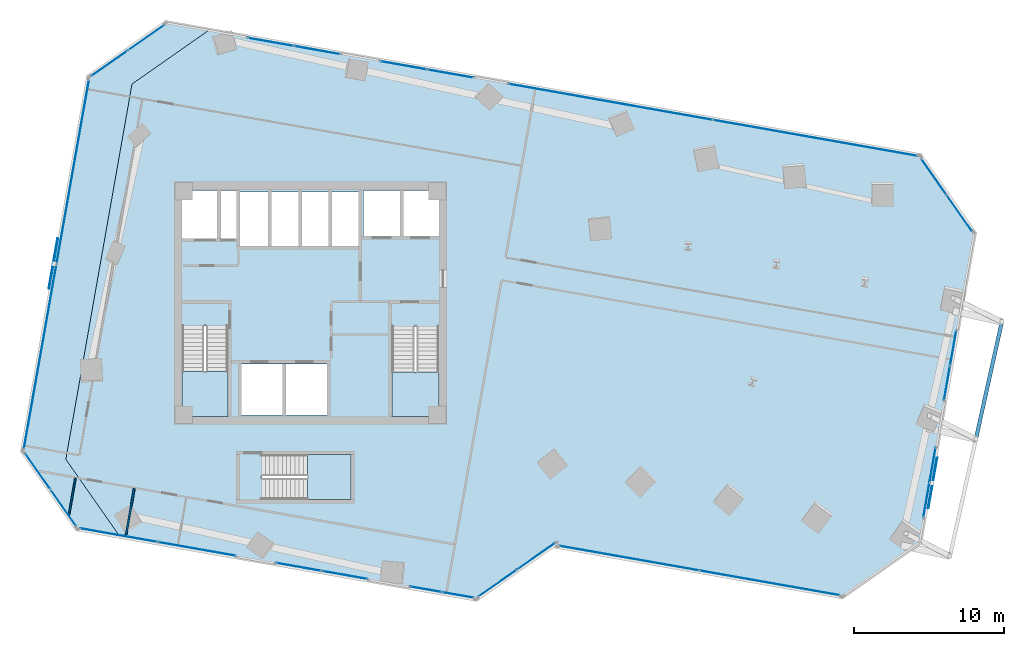
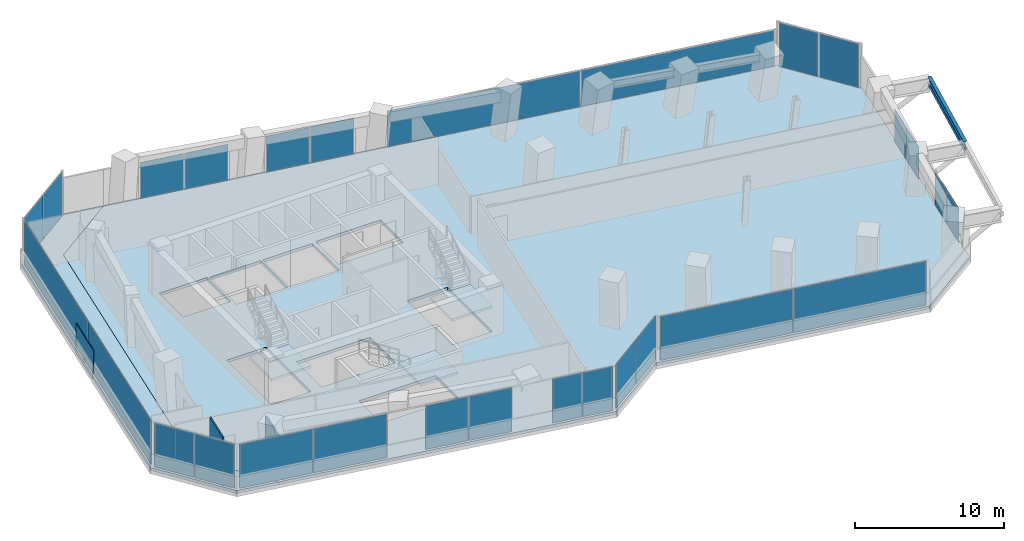
# One storey, part 19 of 24: 30 plates, 5 slabs, 2 walls, 1 beam, 17 elements without a shape of their own.
"""IFC4 building model written with IfcOpenShell, lengths in metres."""

from ifc_helpers import new_model, si_unit, direction, frame, frame_2d, origin, origin_2d, place, context, subcontext, project, spatial, polyline, rectangle, i_section, outline, extrude, source, transform, mapped, material, layer, layer_set, material_profile, profile_set, type_object, element, aggregate, save


model = new_model("IFC4")

# Units and contexts
model_context = context("Model", 3, precision=1e-05, world=origin(), true_north=direction((0.0, 1.0)))
body_context = subcontext(model_context, "Body", "Model", "MODEL_VIEW")
ifc_project = project(units=[si_unit("LENGTHUNIT", "METRE"), si_unit("AREAUNIT", "SQUARE_METRE"), si_unit("VOLUMEUNIT", "CUBIC_METRE"), si_unit("PLANEANGLEUNIT", "RADIAN"), si_unit("MASSUNIT", "GRAM", prefix="KILO")], contexts=[model_context])

# Site, building, storey
site_placement = place(None, origin())
site = spatial("IfcSite", under=ifc_project, at=site_placement, CompositionType="ELEMENT")
building_placement = place(site_placement, origin())
building = spatial("IfcBuilding", under=site, at=building_placement, Name="Torre Montelarca", CompositionType="ELEMENT")
storey_placement = place(building_placement, frame((0.0, 0.0, 83.199951171875)))
storey = spatial("IfcBuildingStorey", under=building, at=storey_placement, Name="L18", CompositionType="ELEMENT", Elevation=83.199951171875)

# Beam
ifc_material_1 = material(Name="Steel ASTM A992 Grade 50", Category="steel")
ifc_material_profile = material_profile(ifc_material_1, i_section(OverallWidth=0.256103515625, OverallDepth=0.693115234375, WebThickness=0.014404296875, FlangeThickness=0.023681640625, FilletRadius=0.01806640625, at=origin_2d()), Name="W690X170", Category="steel")
ifc_profile_set = profile_set([ifc_material_profile], Name="Steel ASTM A992 Grade 50")
beam_type = type_object("IfcBeamType", Name="BM-G-W690-EXT", PredefinedType="BEAM", material=ifc_profile_set)
shared_shape_1 = source(origin(), body_context, "Body", "SweptSolid", [
    extrude(i_section(OverallWidth=0.256103515625, OverallDepth=0.693115234375, WebThickness=0.014404296875, FlangeThickness=0.023681640625, FilletRadius=0.01806640625, at=origin_2d()), origin(), (0.0, 0.0, 1.0), 8.000244140625),
])
beam_placement = place(storey_placement, frame((62.35791015625, 22.94189453125, 3.614013671875), z_axis=(0.216455447594, 0.976292496748, 0.0), x_axis=(-0.976292496748, 0.216455447594, 0.0)))
element("IfcBeam", 1, at=beam_placement, inside=storey, type_object=beam_type, Name="L18 Sliding Tray Edge Girder East 32-40m (FLR)", PredefinedType="BEAM", context=body_context, shape_type="MappedRepresentation", body=[
    mapped(shared_shape_1, transform((0.0, 0.0, 0.0), scale=1.0)),
])

# Slabs
ifc_material_2 = material(Name="Concrete C40/50", Category="concrete")
ifc_layer_1 = layer(ifc_material_2, 0.239990234375, Name="Concrete C40/50", Category="concrete")
ifc_layer_set_1 = layer_set([ifc_layer_1], Name="Concrete C40/50")
slab_type_1 = type_object("IfcSlabType", Name="SL-FLR-240", PredefinedType="FLOOR", material=ifc_layer_set_1)
slab_1_placement = place(storey_placement, frame((0.0, 0.0, -0.239990234375)))
element("IfcSlab", 2, at=slab_1_placement, inside=storey, type_object=slab_type_1, Name="L18 Structural Floor Slab", PredefinedType="FLOOR", context=body_context, shape_type="SweptSolid", body=[
    extrude(outline(polyline([(29.073974609375, 12.18359375), (34.287109375, 15.833984375), (34.269775390625, 15.735595703125), (53.473388671875, 12.349365234375), (58.6865234375, 15.99951171875), (62.3330078125, 36.680419921875), (58.682861328125, 41.8935546875), (11.313720703125, 50.24609375), (6.1005859375, 46.595703125), (1.68994140625, 21.581787109375), (5.340087890625, 16.36865234375), (29.073974609375, 12.18359375)]), holes=[polyline([(20.699951171875, 18.89990234375), (14.760009765625, 18.89990234375), (14.760009765625, 21.889892578125), (20.699951171875, 21.889892578125), (20.699951171875, 18.89990234375)]), polyline([(19.10009765625, 24.550048828125), (13.39990234375, 24.550048828125), (13.39990234375, 27.949951171875), (19.10009765625, 27.949951171875), (19.10009765625, 24.550048828125)]), polyline([(23.43994140625, 24.449951171875), (23.43994140625, 30.429931640625), (26.550048828125, 30.429931640625), (26.550048828125, 24.449951171875), (23.43994140625, 24.449951171875)]), polyline([(9.449951171875, 24.449951171875), (9.449951171875, 30.4599609375), (12.5, 30.4599609375), (12.5, 24.449951171875), (9.449951171875, 24.449951171875)]), polyline([(17.25, 35.800048828125), (13.300048828125, 35.800048828125), (13.300048828125, 39.39990234375), (17.25, 39.39990234375), (17.25, 35.800048828125)]), polyline([(21.25, 35.800048828125), (17.39990234375, 35.800048828125), (17.39990234375, 39.39990234375), (21.25, 39.39990234375), (21.25, 35.800048828125)]), polyline([(13.1201171875, 36.300048828125), (9.449951171875, 36.300048828125), (9.449951171875, 39.5), (13.1201171875, 39.5), (13.1201171875, 36.300048828125)]), polyline([(26.60009765625, 36.449951171875), (21.550048828125, 36.449951171875), (21.550048828125, 39.5), (26.60009765625, 39.5), (26.60009765625, 36.449951171875)])]), origin(), (0.0, 0.0, 1.0), 0.239990234375),
])
slab_2_placement = place(storey_placement, frame((0.0, 0.0, -0.239990234375)))
element("IfcSlab", 3, at=slab_2_placement, inside=storey, type_object=slab_type_1, Name="L18 Sliding Tray Winter Garden Floor Slab W1", PredefinedType="FLOOR", context=body_context, shape_type="SweptSolid", body=[
    extrude(outline(polyline([(5.340087890625, 16.36865234375), (1.68994140625, 21.581787109375), (6.1005859375, 46.595703125), (11.313720703125, 50.24609375), (8.359130859375, 50.76708984375), (3.146240234375, 47.11669921875), (-1.264404296875, 22.102783203125), (2.3857421875, 16.8896484375), (5.340087890625, 16.36865234375)])), origin(), (0.0, 0.0, 1.0), 0.239990234375),
])

# Stair, slab
stair_type_1 = type_object("IfcStairType", Name="ST-CORE-ST1", PredefinedType="HALF_TURN_STAIR", material=ifc_material_2)
stair_1_placement = place(storey_placement, origin())
stair_1 = element("IfcStair", 4, at=stair_1_placement, inside=storey, type_object=stair_type_1, Name="L18 Protected Exit Stair ST1", PredefinedType="HALF_TURN_STAIR")
ifc_layer_2 = layer(ifc_material_2, 0.199951171875, Name="Concrete C40/50", Category="concrete")
ifc_layer_set_2 = layer_set([ifc_layer_2], Name="Concrete C40/50")
slab_type_2 = type_object("IfcSlabType", Name="SL-ST-LAND-ST1", PredefinedType="LANDING", material=ifc_layer_set_2)
slab_3_placement = place(storey_placement, frame((0.0, 0.0, 1.900146484375)))
slab_3 = element("IfcSlab", 5, at=slab_3_placement, type_object=slab_type_2, Name="ST1 landing 1", PredefinedType="LANDING", context=body_context, shape_type="SweptSolid", body=[
    extrude(outline(polyline([(9.449951171875, 27.419921875), (9.449951171875, 24.449951171875), (12.5, 24.449951171875), (12.5, 27.419921875), (9.449951171875, 27.419921875)])), origin(), (0.0, 0.0, 1.0), 0.199951171875),
])
aggregate(stair_1, [slab_3])

stair_type_2 = type_object("IfcStairType", Name="ST-CORE-ST2", PredefinedType="HALF_TURN_STAIR", material=ifc_material_2)
stair_2_placement = place(storey_placement, origin())
stair_2 = element("IfcStair", 6, at=stair_2_placement, inside=storey, type_object=stair_type_2, Name="L18 Protected Exit Stair ST2", PredefinedType="HALF_TURN_STAIR")
ifc_layer_3 = layer(ifc_material_2, 0.199951171875, Name="Concrete C40/50", Category="concrete")
ifc_layer_set_3 = layer_set([ifc_layer_3], Name="Concrete C40/50")
slab_type_3 = type_object("IfcSlabType", Name="SL-ST-LAND-ST2", PredefinedType="LANDING", material=ifc_layer_set_3)
slab_4_placement = place(storey_placement, frame((0.0, 0.0, 1.900146484375)))
slab_4 = element("IfcSlab", 7, at=slab_4_placement, type_object=slab_type_3, Name="ST2 landing 1", PredefinedType="LANDING", context=body_context, shape_type="SweptSolid", body=[
    extrude(outline(polyline([(23.43994140625, 27.389892578125), (23.43994140625, 24.449951171875), (26.550048828125, 24.449951171875), (26.550048828125, 27.389892578125), (23.43994140625, 27.389892578125)])), origin(), (0.0, 0.0, 1.0), 0.199951171875),
])
aggregate(stair_2, [slab_4])

stair_type_3 = type_object("IfcStairType", Name="ST-CORE-ST3", PredefinedType="HALF_TURN_STAIR", material=ifc_material_2)
stair_3_placement = place(storey_placement, origin())
stair_3 = element("IfcStair", 8, at=stair_3_placement, inside=storey, type_object=stair_type_3, Name="L18 Low-Rise Exit Stair ST3", PredefinedType="HALF_TURN_STAIR")
ifc_layer_4 = layer(ifc_material_2, 0.199951171875, Name="Concrete C40/50", Category="concrete")
ifc_layer_set_4 = layer_set([ifc_layer_4], Name="Concrete C40/50")
slab_type_4 = type_object("IfcSlabType", Name="SL-ST-LAND-ST3", PredefinedType="LANDING", material=ifc_layer_set_4)
slab_5_placement = place(storey_placement, frame((0.0, 0.0, 1.900146484375)))
slab_5 = element("IfcSlab", 9, at=slab_5_placement, type_object=slab_type_4, Name="ST3 landing 1", PredefinedType="LANDING", context=body_context, shape_type="SweptSolid", body=[
    extrude(outline(polyline([(17.800048828125, 18.89990234375), (20.699951171875, 18.89990234375), (20.699951171875, 21.889892578125), (17.800048828125, 21.889892578125), (17.800048828125, 18.89990234375)])), origin(), (0.0, 0.0, 1.0), 0.199951171875),
])
aggregate(stair_3, [slab_5])

# Plates
ifc_material_3 = material(Name="Architectural perforated terracotta ceramic", Category="masonry")
ifc_layer_5 = layer(ifc_material_3, 0.06005859375, Name="Architectural perforated terracotta ceramic", Category="masonry")
ifc_layer_set_5 = layer_set([ifc_layer_5], Name="Architectural perforated terracotta ceramic")
plate_type_1 = type_object("IfcPlateType", Name="SCR-CER-60", PredefinedType="USERDEFINED", material=ifc_layer_set_5)
shared_shape_2 = source(origin(), body_context, "Body", "SweptSolid", [
    extrude(rectangle(XDim=3.39990234375, YDim=0.06005859375, at=origin_2d()), origin(), (0.0, 0.0, 1.0), 1.89990234375),
])
for number, where, z_axis, x_axis, name in (
    (10, (59.4736328125, 20.00244140625, 0.5), (0.0, 0.0, 1.0), (0.173648177667, 0.984807753012, 0.0), "L18 Perforated Ceramic Brise-Soleil Screen E6-1"),
    (11, (0.862060546875, 34.62353515625, 0.5), (0.0, 0.0, 1.0), (-0.17364989648, -0.984807449937, 0.0), "L18 Perforated Ceramic Brise-Soleil Screen E10-1"),
):
    element("IfcPlate", number, at=place(storey_placement, frame(where, z_axis=z_axis, x_axis=x_axis)), inside=storey, type_object=plate_type_1, Name=name, ObjectType="SOLAR SCREEN", PredefinedType="USERDEFINED", context=body_context, shape_type="MappedRepresentation", body=[
        mapped(shared_shape_2, transform((0.0, 0.0, 0.0), scale=1.0)),
    ])

# Curtain wall, plates
ifc_material_4 = material(Name="Insulated low-E laminated glass", Category="glass")
curtain_wall_type = type_object("IfcCurtainWallType", Name="CW-SYS-Z1", PredefinedType="USERDEFINED", material=ifc_material_4)
curtain_wall_1_placement = place(storey_placement, origin())
curtain_wall_1 = element("IfcCurtainWall", 12, at=curtain_wall_1_placement, inside=storey, type_object=curtain_wall_type, Name="L18 Curtain Wall Run CW-T3-L18-E07-B1", ObjectType="UNITISED GLAZING", PredefinedType="USERDEFINED")
ifc_layer_6 = layer(ifc_material_4, 0.028076171875, Name="Insulated low-E laminated glass", Category="glass")
ifc_layer_set_6 = layer_set([ifc_layer_6], Name="Insulated low-E laminated glass")
plate_type_2 = type_object("IfcPlateType", Name="CWP-GLZ-28", PredefinedType="CURTAIN_PANEL", material=ifc_layer_set_6)
shared_shape_3 = source(origin(), body_context, "Body", "SweptSolid", [
    extrude(rectangle(XDim=2.918701171875, YDim=0.028076171875, at=origin_2d()), origin(), (0.0, 0.0, 1.0), 3.590087890625),
])
plate_1_placement = place(storey_placement, frame((61.257080078125, 37.990478515625, 0.06494140625), z_axis=(0.0, 0.0, 1.0), x_axis=(-0.573545784811, 0.819173505874, 0.0)))
plate_1 = element("IfcPlate", 13, at=plate_1_placement, type_object=plate_type_2, Name="CW panel 1.1", PredefinedType="CURTAIN_PANEL", context=body_context, shape_type="MappedRepresentation", body=[
    mapped(shared_shape_3, transform((0.0, 0.0, 0.0), scale=1.0)),
])
plate_2_placement = place(storey_placement, frame((59.5458984375, 40.4345703125, 0.06494140625), z_axis=(0.0, 0.0, 1.0), x_axis=(-0.573545784811, 0.819173505874, 0.0)))
plate_2 = element("IfcPlate", 14, at=plate_2_placement, type_object=plate_type_2, Name="CW panel 2.1", PredefinedType="CURTAIN_PANEL", context=body_context, shape_type="MappedRepresentation", body=[
    mapped(shared_shape_3, transform((0.0, 0.0, 0.0), scale=1.0)),
])
aggregate(curtain_wall_1, [plate_1, plate_2])

curtain_wall_2_placement = place(storey_placement, origin())
curtain_wall_2 = element("IfcCurtainWall", 15, at=curtain_wall_2_placement, inside=storey, type_object=curtain_wall_type, Name="L18 Curtain Wall Run CW-T3-L18-E09-B1", ObjectType="UNITISED GLAZING", PredefinedType="USERDEFINED")
plate_3_placement = place(storey_placement, frame((7.04931640625, 49.69091796875, 0.06494140625), z_axis=(0.0, 0.0, 1.0), x_axis=(-0.819168052546, -0.573553573511, 0.0)))
plate_3 = element("IfcPlate", 16, at=plate_3_placement, type_object=plate_type_2, Name="CW panel 1.1", PredefinedType="CURTAIN_PANEL", context=body_context, shape_type="MappedRepresentation", body=[
    mapped(shared_shape_3, transform((0.0, 0.0, 0.0), scale=1.0)),
])
plate_4_placement = place(storey_placement, frame((4.605224609375, 47.979736328125, 0.06494140625), z_axis=(0.0, 0.0, 1.0), x_axis=(-0.819168052546, -0.573553573511, 0.0)))
plate_4 = element("IfcPlate", 17, at=plate_4_placement, type_object=plate_type_2, Name="CW panel 2.1", PredefinedType="CURTAIN_PANEL", context=body_context, shape_type="MappedRepresentation", body=[
    mapped(shared_shape_3, transform((0.0, 0.0, 0.0), scale=1.0)),
])
aggregate(curtain_wall_2, [plate_3, plate_4])

curtain_wall_3_placement = place(storey_placement, origin())
curtain_wall_3 = element("IfcCurtainWall", 18, at=curtain_wall_3_placement, inside=storey, type_object=curtain_wall_type, Name="L18 Curtain Wall Run CW-T3-L18-E11-B1", ObjectType="UNITISED GLAZING", PredefinedType="USERDEFINED")
plate_5_placement = place(storey_placement, frame((-0.1884765625, 20.792724609375, 0.06494140625), z_axis=(0.0, 0.0, 1.0), x_axis=(0.573545784811, -0.819173505874, 0.0)))
plate_5 = element("IfcPlate", 19, at=plate_5_placement, type_object=plate_type_2, Name="CW panel 1.1", PredefinedType="CURTAIN_PANEL", context=body_context, shape_type="MappedRepresentation", body=[
    mapped(shared_shape_3, transform((0.0, 0.0, 0.0), scale=1.0)),
])
plate_6_placement = place(storey_placement, frame((1.522705078125, 18.3486328125, 0.06494140625), z_axis=(0.0, 0.0, 1.0), x_axis=(0.573545784811, -0.819173505874, 0.0)))
plate_6 = element("IfcPlate", 20, at=plate_6_placement, type_object=plate_type_2, Name="CW panel 2.1", PredefinedType="CURTAIN_PANEL", context=body_context, shape_type="MappedRepresentation", body=[
    mapped(shared_shape_3, transform((0.0, 0.0, 0.0), scale=1.0)),
])
aggregate(curtain_wall_3, [plate_5, plate_6])

curtain_wall_4_placement = place(storey_placement, origin())
curtain_wall_4 = element("IfcCurtainWall", 21, at=curtain_wall_4_placement, inside=storey, type_object=curtain_wall_type, Name="L18 Curtain Wall Run CW-T3-L18-E01-B2", ObjectType="UNITISED GLAZING", PredefinedType="USERDEFINED")
shared_shape_4 = source(origin(), body_context, "Body", "SweptSolid", [
    extrude(rectangle(XDim=3.04443359375, YDim=0.028076171875, at=origin_2d()), origin(), (0.0, 0.0, 1.0), 3.590087890625),
])
plate_7_placement = place(storey_placement, frame((17.22265625, 14.405517578125, 0.06494140625), z_axis=(0.0, 0.0, 1.0), x_axis=(0.98480726009, -0.173650973145, 0.0)))
plate_7 = element("IfcPlate", 22, at=plate_7_placement, type_object=plate_type_2, Name="CW panel 1.1", PredefinedType="CURTAIN_PANEL", context=body_context, shape_type="MappedRepresentation", body=[
    mapped(shared_shape_4, transform((0.0, 0.0, 0.0), scale=1.0)),
])
plate_8_placement = place(storey_placement, frame((20.284912109375, 13.865478515625, 0.06494140625), z_axis=(0.0, 0.0, 1.0), x_axis=(0.98480726009, -0.173650973145, 0.0)))
plate_8 = element("IfcPlate", 23, at=plate_8_placement, type_object=plate_type_2, Name="CW panel 2.1", PredefinedType="CURTAIN_PANEL", context=body_context, shape_type="MappedRepresentation", body=[
    mapped(shared_shape_4, transform((0.0, 0.0, 0.0), scale=1.0)),
])
aggregate(curtain_wall_4, [plate_7, plate_8])

curtain_wall_5_placement = place(storey_placement, origin())
curtain_wall_5 = element("IfcCurtainWall", 24, at=curtain_wall_5_placement, inside=storey, type_object=curtain_wall_type, Name="L18 Curtain Wall Run CW-T3-L18-E01-B3", ObjectType="UNITISED GLAZING", PredefinedType="USERDEFINED")
shared_shape_5 = source(origin(), body_context, "Body", "SweptSolid", [
    extrude(rectangle(XDim=2.105224609375, YDim=0.028076171875, at=origin_2d()), origin(), (0.0, 0.0, 1.0), 3.590087890625),
])
plate_9_placement = place(storey_placement, frame((25.695068359375, 12.91162109375, 0.06494140625), z_axis=(0.0, 0.0, 1.0), x_axis=(0.984808912479, -0.173641601877, 0.0)))
plate_9 = element("IfcPlate", 25, at=plate_9_placement, type_object=plate_type_2, Name="CW panel 1.1", PredefinedType="CURTAIN_PANEL", context=body_context, shape_type="MappedRepresentation", body=[
    mapped(shared_shape_5, transform((0.0, 0.0, 0.0), scale=1.0)),
])
plate_10_placement = place(storey_placement, frame((27.83251953125, 12.53466796875, 0.06494140625), z_axis=(0.0, 0.0, 1.0), x_axis=(0.984808912479, -0.173641601877, 0.0)))
plate_10 = element("IfcPlate", 26, at=plate_10_placement, type_object=plate_type_2, Name="CW panel 2.1", PredefinedType="CURTAIN_PANEL", context=body_context, shape_type="MappedRepresentation", body=[
    mapped(shared_shape_5, transform((0.0, 0.0, 0.0), scale=1.0)),
])
aggregate(curtain_wall_5, [plate_9, plate_10])

curtain_wall_6_placement = place(storey_placement, origin())
curtain_wall_6 = element("IfcCurtainWall", 27, at=curtain_wall_6_placement, inside=storey, type_object=curtain_wall_type, Name="L18 Curtain Wall Run CW-T3-L18-E08-B2", ObjectType="UNITISED GLAZING", PredefinedType="USERDEFINED")
shared_shape_6 = source(origin(), body_context, "Body", "SweptSolid", [
    extrude(rectangle(XDim=3.10498046875, YDim=0.028076171875, at=origin_2d()), origin(), (0.0, 0.0, 1.0), 2.945068359375),
])
plate_11_placement = place(storey_placement, frame((27.325439453125, 47.290771484375, 0.06494140625), z_axis=(0.0, 0.0, 1.0), x_axis=(-0.984808225488, 0.173645498104, 0.0)))
plate_11 = element("IfcPlate", 28, at=plate_11_placement, type_object=plate_type_2, Name="CW panel 1.1", PredefinedType="CURTAIN_PANEL", context=body_context, shape_type="MappedRepresentation", body=[
    mapped(shared_shape_6, transform((0.0, 0.0, 0.0), scale=1.0)),
])
plate_12_placement = place(storey_placement, frame((24.20361328125, 47.84130859375, 0.06494140625), z_axis=(0.0, 0.0, 1.0), x_axis=(-0.984808225488, 0.173645498104, 0.0)))
plate_12 = element("IfcPlate", 29, at=plate_12_placement, type_object=plate_type_2, Name="CW panel 2.1", PredefinedType="CURTAIN_PANEL", context=body_context, shape_type="MappedRepresentation", body=[
    mapped(shared_shape_6, transform((0.0, 0.0, 0.0), scale=1.0)),
])
aggregate(curtain_wall_6, [plate_11, plate_12])

curtain_wall_7_placement = place(storey_placement, origin())
curtain_wall_7 = element("IfcCurtainWall", 30, at=curtain_wall_7_placement, inside=storey, type_object=curtain_wall_type, Name="L18 Curtain Wall Run CW-T3-L18-E08-B3", ObjectType="UNITISED GLAZING", PredefinedType="USERDEFINED")
shared_shape_7 = source(origin(), body_context, "Body", "SweptSolid", [
    extrude(rectangle(XDim=3.101806640625, YDim=0.028076171875, at=origin_2d()), origin(), (0.0, 0.0, 1.0), 2.945068359375),
])
plate_13_placement = place(storey_placement, frame((18.4658203125, 48.852783203125, 0.06494140625), z_axis=(0.0, 0.0, 1.0), x_axis=(-0.984807935716, 0.173647141497, 0.0)))
plate_13 = element("IfcPlate", 31, at=plate_13_placement, type_object=plate_type_2, Name="CW panel 1.1", PredefinedType="CURTAIN_PANEL", context=body_context, shape_type="MappedRepresentation", body=[
    mapped(shared_shape_7, transform((0.0, 0.0, 0.0), scale=1.0)),
])
plate_14_placement = place(storey_placement, frame((15.34716796875, 49.40283203125, 0.06494140625), z_axis=(0.0, 0.0, 1.0), x_axis=(-0.984807935716, 0.173647141497, 0.0)))
plate_14 = element("IfcPlate", 32, at=plate_14_placement, type_object=plate_type_2, Name="CW panel 2.1", PredefinedType="CURTAIN_PANEL", context=body_context, shape_type="MappedRepresentation", body=[
    mapped(shared_shape_7, transform((0.0, 0.0, 0.0), scale=1.0)),
])
aggregate(curtain_wall_7, [plate_13, plate_14])

curtain_wall_8_placement = place(storey_placement, origin())
curtain_wall_8 = element("IfcCurtainWall", 33, at=curtain_wall_8_placement, inside=storey, type_object=curtain_wall_type, Name="L18 Curtain Wall Run CW-T3-L18-E02-B1", ObjectType="UNITISED GLAZING", PredefinedType="USERDEFINED")
shared_shape_8 = source(origin(), body_context, "Body", "SweptSolid", [
    extrude(rectangle(XDim=3.1025390625, YDim=0.028076171875, at=origin_2d()), origin(), (0.0, 0.0, 1.0), 3.590087890625),
])
plate_15_placement = place(storey_placement, frame((30.459228515625, 13.3125, 0.06494140625), z_axis=(0.0, 0.0, 1.0), x_axis=(0.819162914987, 0.573560911072, 0.0)))
plate_15 = element("IfcPlate", 34, at=plate_15_placement, type_object=plate_type_2, Name="CW panel 1.1", PredefinedType="CURTAIN_PANEL", context=body_context, shape_type="MappedRepresentation", body=[
    mapped(shared_shape_8, transform((0.0, 0.0, 0.0), scale=1.0)),
])
plate_16_placement = place(storey_placement, frame((33.053955078125, 15.129150390625, 0.06494140625), z_axis=(0.0, 0.0, 1.0), x_axis=(0.819162914987, 0.573560911072, 0.0)))
plate_16 = element("IfcPlate", 35, at=plate_16_placement, type_object=plate_type_2, Name="CW panel 2.1", PredefinedType="CURTAIN_PANEL", context=body_context, shape_type="MappedRepresentation", body=[
    mapped(shared_shape_8, transform((0.0, 0.0, 0.0), scale=1.0)),
])
aggregate(curtain_wall_8, [plate_15, plate_16])

curtain_wall_9_placement = place(storey_placement, origin())
curtain_wall_9 = element("IfcCurtainWall", 36, at=curtain_wall_9_placement, inside=storey, type_object=curtain_wall_type, Name="L18 Curtain Wall Run CW-T3-L18-E04-B1", ObjectType="UNITISED GLAZING", PredefinedType="USERDEFINED")
shared_shape_9 = source(origin(), body_context, "Body", "SweptSolid", [
    extrude(rectangle(XDim=9.448486328125, YDim=0.028076171875, at=origin_2d()), origin(), (0.0, 0.0, 1.0), 3.590087890625),
])
plate_17_placement = place(storey_placement, frame((39.2470703125, 14.98974609375, 0.06494140625), z_axis=(0.0, 0.0, 1.0), x_axis=(0.984808647741, -0.173643103331, 0.0)))
plate_17 = element("IfcPlate", 37, at=plate_17_placement, type_object=plate_type_2, Name="CW panel 1.1", PredefinedType="CURTAIN_PANEL", context=body_context, shape_type="MappedRepresentation", body=[
    mapped(shared_shape_9, transform((0.0, 0.0, 0.0), scale=1.0)),
])
plate_18_placement = place(storey_placement, frame((48.6162109375, 13.337890625, 0.06494140625), z_axis=(0.0, 0.0, 1.0), x_axis=(0.984808647741, -0.173643103331, 0.0)))
plate_18 = element("IfcPlate", 38, at=plate_18_placement, type_object=plate_type_2, Name="CW panel 2.1", PredefinedType="CURTAIN_PANEL", context=body_context, shape_type="MappedRepresentation", body=[
    mapped(shared_shape_9, transform((0.0, 0.0, 0.0), scale=1.0)),
])
aggregate(curtain_wall_9, [plate_17, plate_18])

curtain_wall_10_placement = place(storey_placement, origin())
curtain_wall_10 = element("IfcCurtainWall", 39, at=curtain_wall_10_placement, inside=storey, type_object=curtain_wall_type, Name="L18 Curtain Wall Run CW-T3-L18-E10-B1", ObjectType="UNITISED GLAZING", PredefinedType="USERDEFINED")
shared_shape_10 = source(origin(), body_context, "Body", "SweptSolid", [
    extrude(rectangle(XDim=12.4365234375, YDim=0.028076171875, at=origin_2d()), origin(), (0.0, 0.0, 1.0), 3.590087890625),
])
plate_19_placement = place(storey_placement, frame((2.154296875, 40.7431640625, 0.06494140625), z_axis=(0.0, 0.0, 1.0), x_axis=(-0.173646061274, -0.984808126187, 0.0)))
plate_19 = element("IfcPlate", 40, at=plate_19_placement, type_object=plate_type_2, Name="CW panel 1.1", PredefinedType="CURTAIN_PANEL", context=body_context, shape_type="MappedRepresentation", body=[
    mapped(shared_shape_10, transform((0.0, 0.0, 0.0), scale=1.0)),
])
plate_20_placement = place(storey_placement, frame((-0.0166015625, 28.431396484375, 0.06494140625), z_axis=(0.0, 0.0, 1.0), x_axis=(-0.173646061274, -0.984808126187, 0.0)))
plate_20 = element("IfcPlate", 41, at=plate_20_placement, type_object=plate_type_2, Name="CW panel 2.1", PredefinedType="CURTAIN_PANEL", context=body_context, shape_type="MappedRepresentation", body=[
    mapped(shared_shape_10, transform((0.0, 0.0, 0.0), scale=1.0)),
])
aggregate(curtain_wall_10, [plate_19, plate_20])

curtain_wall_11_placement = place(storey_placement, origin())
curtain_wall_11 = element("IfcCurtainWall", 42, at=curtain_wall_11_placement, inside=storey, type_object=curtain_wall_type, Name="L18 Curtain Wall Run CW-T3-L18-E01-B1", ObjectType="UNITISED GLAZING", PredefinedType="USERDEFINED")
shared_shape_11 = source(origin(), body_context, "Body", "SweptSolid", [
    extrude(rectangle(XDim=5.231201171875, YDim=0.028076171875, at=origin_2d()), origin(), (0.0, 0.0, 1.0), 3.590087890625),
])
plate_21_placement = place(storey_placement, frame((5.21142578125, 16.5234375, 0.06494140625), z_axis=(0.0, 0.0, 1.0), x_axis=(0.984807826195, -0.173647762625, 0.0)))
plate_21 = element("IfcPlate", 43, at=plate_21_placement, type_object=plate_type_2, Name="CW panel 1.1", PredefinedType="CURTAIN_PANEL", context=body_context, shape_type="MappedRepresentation", body=[
    mapped(shared_shape_11, transform((0.0, 0.0, 0.0), scale=1.0)),
])
plate_22_placement = place(storey_placement, frame((10.427001953125, 15.603759765625, 0.06494140625), z_axis=(0.0, 0.0, 1.0), x_axis=(0.984807826195, -0.173647762625, 0.0)))
plate_22 = element("IfcPlate", 44, at=plate_22_placement, type_object=plate_type_2, Name="CW panel 2.1", PredefinedType="CURTAIN_PANEL", context=body_context, shape_type="MappedRepresentation", body=[
    mapped(shared_shape_11, transform((0.0, 0.0, 0.0), scale=1.0)),
])
aggregate(curtain_wall_11, [plate_21, plate_22])

curtain_wall_12_placement = place(storey_placement, origin())
curtain_wall_12 = element("IfcCurtainWall", 45, at=curtain_wall_12_placement, inside=storey, type_object=curtain_wall_type, Name="L18 Curtain Wall Run CW-T3-L18-E06-B1", ObjectType="UNITISED GLAZING", PredefinedType="USERDEFINED")
shared_shape_12 = source(origin(), body_context, "Body", "SweptSolid", [
    extrude(rectangle(XDim=2.314453125, YDim=0.028076171875, at=origin_2d()), origin(), (0.0, 0.0, 1.0), 2.64501953125),
])
plate_23_placement = place(storey_placement, frame((59.06005859375, 18.867431640625, 0.06494140625), z_axis=(0.0, 0.0, 1.0), x_axis=(0.173663520603, 0.984805047515, 0.0)))
plate_23 = element("IfcPlate", 46, at=plate_23_placement, type_object=plate_type_2, Name="CW panel 1.1", PredefinedType="CURTAIN_PANEL", context=body_context, shape_type="MappedRepresentation", body=[
    mapped(shared_shape_12, transform((0.0, 0.0, 0.0), scale=1.0)),
])
plate_24_placement = place(storey_placement, frame((59.473388671875, 21.210693359375, 0.06494140625), z_axis=(0.0, 0.0, 1.0), x_axis=(0.173663520603, 0.984805047515, 0.0)))
plate_24 = element("IfcPlate", 47, at=plate_24_placement, type_object=plate_type_2, Name="CW panel 2.1", PredefinedType="CURTAIN_PANEL", context=body_context, shape_type="MappedRepresentation", body=[
    mapped(shared_shape_12, transform((0.0, 0.0, 0.0), scale=1.0)),
])
aggregate(curtain_wall_12, [plate_23, plate_24])

curtain_wall_13_placement = place(storey_placement, origin())
curtain_wall_13 = element("IfcCurtainWall", 48, at=curtain_wall_13_placement, inside=storey, type_object=curtain_wall_type, Name="L18 Curtain Wall Run CW-T3-L18-E06-B2", ObjectType="UNITISED GLAZING", PredefinedType="USERDEFINED")
shared_shape_13 = source(origin(), body_context, "Body", "SweptSolid", [
    extrude(rectangle(XDim=2.3115234375, YDim=0.028076171875, at=origin_2d()), origin(), (0.0, 0.0, 1.0), 2.64501953125),
])
plate_25_placement = place(storey_placement, frame((60.435791015625, 26.668701171875, 0.06494140625), z_axis=(0.0, 0.0, 1.0), x_axis=(0.173644428366, 0.984808414108, 0.0)))
plate_25 = element("IfcPlate", 49, at=plate_25_placement, type_object=plate_type_2, Name="CW panel 1.1", PredefinedType="CURTAIN_PANEL", context=body_context, shape_type="MappedRepresentation", body=[
    mapped(shared_shape_13, transform((0.0, 0.0, 0.0), scale=1.0)),
])
plate_26_placement = place(storey_placement, frame((60.848388671875, 29.009033203125, 0.06494140625), z_axis=(0.0, 0.0, 1.0), x_axis=(0.173644428366, 0.984808414108, 0.0)))
plate_26 = element("IfcPlate", 50, at=plate_26_placement, type_object=plate_type_2, Name="CW panel 2.1", PredefinedType="CURTAIN_PANEL", context=body_context, shape_type="MappedRepresentation", body=[
    mapped(shared_shape_13, transform((0.0, 0.0, 0.0), scale=1.0)),
])
aggregate(curtain_wall_13, [plate_25, plate_26])

curtain_wall_14_placement = place(storey_placement, origin())
curtain_wall_14 = element("IfcCurtainWall", 51, at=curtain_wall_14_placement, inside=storey, type_object=curtain_wall_type, Name="L18 Curtain Wall Run CW-T3-L18-E08-B1", ObjectType="UNITISED GLAZING", PredefinedType="USERDEFINED")
shared_shape_14 = source(origin(), body_context, "Body", "SweptSolid", [
    extrude(rectangle(XDim=13.7900390625, YDim=0.028076171875, at=origin_2d()), origin(), (0.0, 0.0, 1.0), 2.945068359375),
])
plate_27_placement = place(storey_placement, frame((51.642822265625, 43.0029296875, 0.06494140625), z_axis=(0.0, 0.0, 1.0), x_axis=(-0.984808304276, 0.173645051264, 0.0)))
plate_27 = element("IfcPlate", 52, at=plate_27_placement, type_object=plate_type_2, Name="CW panel 1.1", PredefinedType="CURTAIN_PANEL", context=body_context, shape_type="MappedRepresentation", body=[
    mapped(shared_shape_14, transform((0.0, 0.0, 0.0), scale=1.0)),
])
plate_28_placement = place(storey_placement, frame((37.998291015625, 45.408935546875, 0.06494140625), z_axis=(0.0, 0.0, 1.0), x_axis=(-0.984808304276, 0.173645051264, 0.0)))
plate_28 = element("IfcPlate", 53, at=plate_28_placement, type_object=plate_type_2, Name="CW panel 2.1", PredefinedType="CURTAIN_PANEL", context=body_context, shape_type="MappedRepresentation", body=[
    mapped(shared_shape_14, transform((0.0, 0.0, 0.0), scale=1.0)),
])
aggregate(curtain_wall_14, [plate_27, plate_28])

# Walls
ifc_material_5 = material(Name="Acoustic laminated glass partition", Category="glass")
ifc_layer_7 = layer(ifc_material_5, 0.10009765625, Name="Acoustic laminated glass partition", Category="glass")
ifc_layer_set_7 = layer_set([ifc_layer_7], Name="Acoustic laminated glass partition")
wall_type_1 = type_object("IfcWallType", Name="PW-GLAZ-100", PredefinedType="PARTITIONING", material=ifc_layer_set_7)
wall_1_placement = place(storey_placement, frame((1.899658203125, 17.876953125, 0.0), z_axis=(0.0, 0.0, 1.0), x_axis=(0.173701499557, 0.984798349436, 0.0)))
element("IfcWall", 54, at=wall_1_placement, inside=storey, type_object=wall_type_1, Name="L18 Interior Partition W-L18-WCW", PredefinedType="PARTITIONING", context=body_context, shape_type="SweptSolid", body=[
    extrude(rectangle(XDim=2.491943359375, YDim=0.10009765625, at=frame_2d((1.24609375, 0.0))), origin(), (0.0, 0.0, 1.0), 3.9599609375),
])
ifc_material_6 = material(Name="Gypsum plasterboard on steel stud", Category="steel")
ifc_layer_8 = layer(ifc_material_6, 0.114990234375, Name="Gypsum plasterboard on steel stud", Category="steel")
ifc_layer_set_8 = layer_set([ifc_layer_8], Name="Gypsum plasterboard on steel stud")
wall_type_2 = type_object("IfcWallType", Name="PW-PART-115", PredefinedType="PARTITIONING", material=ifc_layer_set_8)
wall_2_placement = place(storey_placement, frame((5.6962890625, 16.488525390625, 0.0), z_axis=(0.0, 0.0, 1.0), x_axis=(0.173720048915, 0.984795077468, 0.0)))
element("IfcWall", 55, at=wall_2_placement, inside=storey, type_object=wall_type_2, Name="L18 Interior Partition W-L18-WCD", PredefinedType="PARTITIONING", context=body_context, shape_type="SweptSolid", body=[
    extrude(rectangle(XDim=3.199951171875, YDim=0.114990234375, at=frame_2d((1.60009765625, 0.0))), origin(), (0.0, 0.0, 1.0), 3.094970703125),
])

save(model, "model.ifc")
